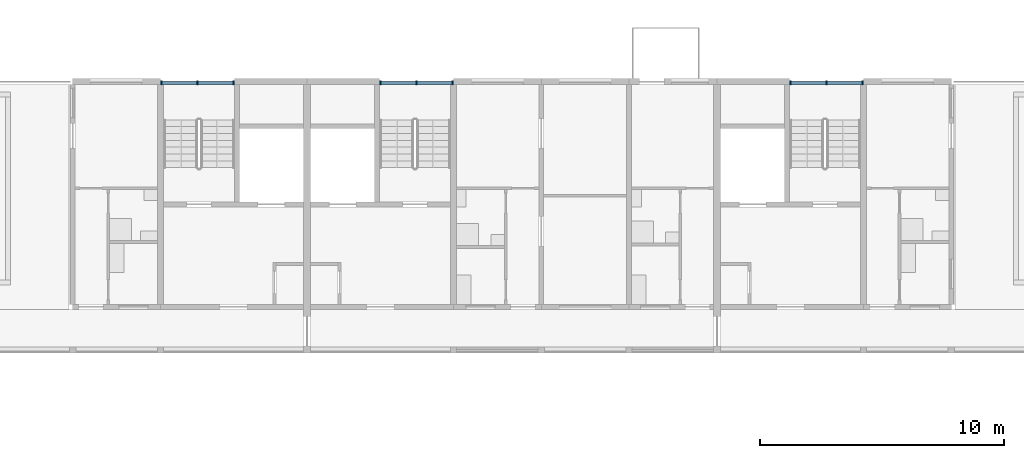
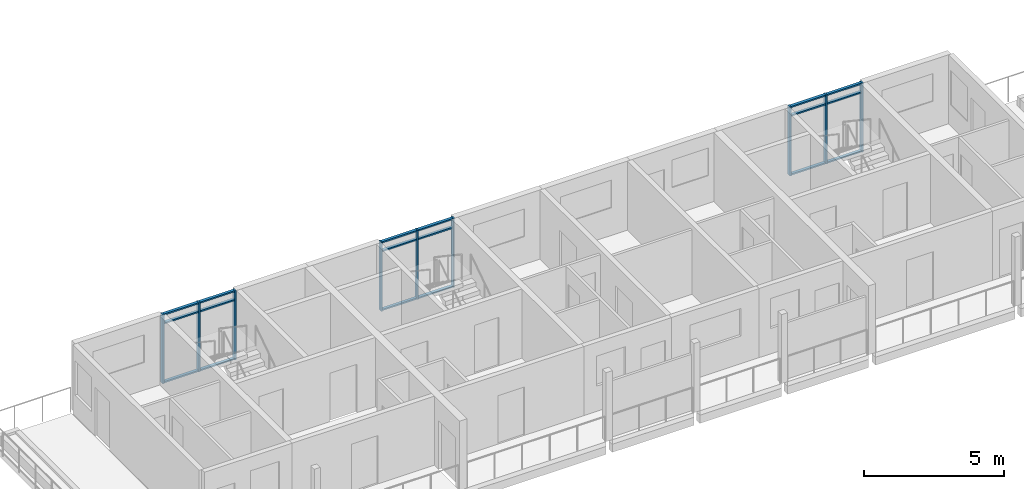
# One storey, part 12 of 94: 27 members, 3 elements without a shape of their own.
"""IFC4 building model written with IfcOpenShell, lengths in metres."""

from ifc_helpers import new_model, si_unit, direction, frame, origin, origin_2d, place, context, subcontext, project, spatial, rectangle, extrude, material, material_profile, profile_set, type_object, element, aggregate, save


model = new_model("IFC4")

# Units and contexts
model_context = context("Model", 3, precision=1e-05, world=origin(), true_north=direction((0.0, 1.0)))
body_context = subcontext(model_context, "Body", "Model", "MODEL_VIEW")
ifc_project = project(units=[si_unit("LENGTHUNIT", "METRE"), si_unit("AREAUNIT", "SQUARE_METRE"), si_unit("VOLUMEUNIT", "CUBIC_METRE"), si_unit("PLANEANGLEUNIT", "RADIAN"), si_unit("MASSUNIT", "GRAM", prefix="KILO")], contexts=[model_context])

# Site, building, storey
site_placement = place(None, origin())
site = spatial("IfcSite", under=ifc_project, at=site_placement, CompositionType="ELEMENT")
building_placement = place(site_placement, origin())
building = spatial("IfcBuilding", under=site, at=building_placement, Name="Ridgestep Commons", CompositionType="ELEMENT")
storey_placement = place(building_placement, frame((0.0, 0.0, 21.0)))
storey = spatial("IfcBuildingStorey", under=building, at=storey_placement, Name="L07", CompositionType="ELEMENT", Elevation=21.0)

# Curtain wall, members
ifc_material_1 = material(Name="Aluminium 6063-T6 and glass", Category="aluminium")
curtain_wall_type = type_object("IfcCurtainWallType", Name="Curtain wall stair strip", PredefinedType="NOTDEFINED", material=ifc_material_1)
curtain_wall_1_placement = place(storey_placement, origin())
curtain_wall_1 = element("IfcCurtainWall", 1, at=curtain_wall_1_placement, inside=storey, type_object=curtain_wall_type, Name="Curtain wall B1C level 07", PredefinedType="NOTDEFINED")
ifc_material_2 = material(Name="Aluminium 6063-T6", Category="aluminium")
ifc_material_profile_1 = material_profile(ifc_material_2, rectangle(XDim=0.159912109375, YDim=0.06005859375, at=origin_2d()), Name="Mullion 60 x 160")
ifc_profile_set_1 = profile_set([ifc_material_profile_1], Name="Aluminium 6063-T6")
member_type_1 = type_object("IfcMemberType", Name="Mullion 60 x 160", PredefinedType="MULLION", material=ifc_profile_set_1)
member_1_placement = place(storey_placement, frame((22.830078125, 77.080078125, 0.0), z_axis=(0.0, 0.0, 1.0), x_axis=(0.0, 1.0, 0.0)))
member_1 = element("IfcMember", 2, at=member_1_placement, type_object=member_type_1, Name="CW1 mullion 1", PredefinedType="MULLION", context=body_context, shape_type="SweptSolid", body=[
    extrude(rectangle(XDim=0.159912109375, YDim=0.06005859375, at=origin_2d()), origin(), (0.0, 0.0, 1.0), 3.0),
])
member_2_placement = place(storey_placement, frame((24.3125, 77.080078125, 0.0), z_axis=(0.0, 0.0, 1.0), x_axis=(0.0, 1.0, 0.0)))
member_2 = element("IfcMember", 3, at=member_2_placement, type_object=member_type_1, Name="CW1 mullion 2", PredefinedType="MULLION", context=body_context, shape_type="SweptSolid", body=[
    extrude(rectangle(XDim=0.159912109375, YDim=0.06005859375, at=origin_2d()), origin(), (0.0, 0.0, 1.0), 3.0),
])
member_3_placement = place(storey_placement, frame((25.794921875, 77.080078125, 0.0), z_axis=(0.0, 0.0, 1.0), x_axis=(0.0, 1.0, 0.0)))
member_3 = element("IfcMember", 4, at=member_3_placement, type_object=member_type_1, Name="CW1 mullion 3", PredefinedType="MULLION", context=body_context, shape_type="SweptSolid", body=[
    extrude(rectangle(XDim=0.159912109375, YDim=0.06005859375, at=origin_2d()), origin(), (0.0, 0.0, 1.0), 3.0),
])

curtain_wall_2_placement = place(storey_placement, origin())
curtain_wall_2 = element("IfcCurtainWall", 5, at=curtain_wall_2_placement, inside=storey, type_object=curtain_wall_type, Name="Curtain wall B2C level 07", PredefinedType="NOTDEFINED")
member_4_placement = place(storey_placement, frame((31.804931640625, 77.080078125, 0.0), z_axis=(0.0, 0.0, 1.0), x_axis=(0.0, 1.0, 0.0)))
member_4 = element("IfcMember", 6, at=member_4_placement, type_object=member_type_1, Name="CW1 mullion 1", PredefinedType="MULLION", context=body_context, shape_type="SweptSolid", body=[
    extrude(rectangle(XDim=0.159912109375, YDim=0.06005859375, at=origin_2d()), origin(), (0.0, 0.0, 1.0), 3.0),
])
member_5_placement = place(storey_placement, frame((33.28759765625, 77.080078125, 0.0), z_axis=(0.0, 0.0, 1.0), x_axis=(0.0, 1.0, 0.0)))
member_5 = element("IfcMember", 7, at=member_5_placement, type_object=member_type_1, Name="CW1 mullion 2", PredefinedType="MULLION", context=body_context, shape_type="SweptSolid", body=[
    extrude(rectangle(XDim=0.159912109375, YDim=0.06005859375, at=origin_2d()), origin(), (0.0, 0.0, 1.0), 3.0),
])
member_6_placement = place(storey_placement, frame((34.77001953125, 77.080078125, 0.0), z_axis=(0.0, 0.0, 1.0), x_axis=(0.0, 1.0, 0.0)))
member_6 = element("IfcMember", 8, at=member_6_placement, type_object=member_type_1, Name="CW1 mullion 3", PredefinedType="MULLION", context=body_context, shape_type="SweptSolid", body=[
    extrude(rectangle(XDim=0.159912109375, YDim=0.06005859375, at=origin_2d()), origin(), (0.0, 0.0, 1.0), 3.0),
])

curtain_wall_3_placement = place(storey_placement, origin())
curtain_wall_3 = element("IfcCurtainWall", 9, at=curtain_wall_3_placement, inside=storey, type_object=curtain_wall_type, Name="Curtain wall B3C level 07", PredefinedType="NOTDEFINED")
member_7_placement = place(storey_placement, frame((48.60498046875, 77.080078125, 0.0), z_axis=(0.0, 0.0, 1.0), x_axis=(0.0, 1.0, 0.0)))
member_7 = element("IfcMember", 10, at=member_7_placement, type_object=member_type_1, Name="CW1 mullion 1", PredefinedType="MULLION", context=body_context, shape_type="SweptSolid", body=[
    extrude(rectangle(XDim=0.159912109375, YDim=0.06005859375, at=origin_2d()), origin(), (0.0, 0.0, 1.0), 3.0),
])
member_8_placement = place(storey_placement, frame((50.08740234375, 77.080078125, 0.0), z_axis=(0.0, 0.0, 1.0), x_axis=(0.0, 1.0, 0.0)))
member_8 = element("IfcMember", 11, at=member_8_placement, type_object=member_type_1, Name="CW1 mullion 2", PredefinedType="MULLION", context=body_context, shape_type="SweptSolid", body=[
    extrude(rectangle(XDim=0.159912109375, YDim=0.06005859375, at=origin_2d()), origin(), (0.0, 0.0, 1.0), 3.0),
])
member_9_placement = place(storey_placement, frame((51.570068359375, 77.080078125, 0.0), z_axis=(0.0, 0.0, 1.0), x_axis=(0.0, 1.0, 0.0)))
member_9 = element("IfcMember", 12, at=member_9_placement, type_object=member_type_1, Name="CW1 mullion 3", PredefinedType="MULLION", context=body_context, shape_type="SweptSolid", body=[
    extrude(rectangle(XDim=0.159912109375, YDim=0.06005859375, at=origin_2d()), origin(), (0.0, 0.0, 1.0), 3.0),
])

# Member
ifc_material_3 = material(Name="Aluminium 6063-T6", Category="aluminium")
ifc_material_profile_2 = material_profile(ifc_material_3, rectangle(XDim=0.1201171875, YDim=0.06005859375, at=origin_2d()), Name="Transom 60 x 120")
ifc_profile_set_2 = profile_set([ifc_material_profile_2], Name="Aluminium 6063-T6")
member_type_2 = type_object("IfcMemberType", Name="Transom 60 x 120", PredefinedType="USERDEFINED", material=ifc_profile_set_2)
member_10_placement = place(storey_placement, frame((22.860107421875, 77.080078125, 0.030029296875), z_axis=(1.0, 0.0, 0.0), x_axis=(0.0, 1.0, 0.0)))
member_10 = element("IfcMember", 13, at=member_10_placement, type_object=member_type_2, Name="CW1 transom 1.1", ObjectType="TRANSOM", PredefinedType="USERDEFINED", context=body_context, shape_type="SweptSolid", body=[
    extrude(rectangle(XDim=0.1201171875, YDim=0.06005859375, at=origin_2d()), origin(), (0.0, 0.0, 1.0), 1.42236328125),
])

member_11_placement = place(storey_placement, frame((22.860107421875, 77.080078125, 2.590087890625), z_axis=(1.0, 0.0, 0.0), x_axis=(0.0, 1.0, 0.0)))
member_11 = element("IfcMember", 14, at=member_11_placement, type_object=member_type_2, Name="CW1 transom 1.2", ObjectType="TRANSOM", PredefinedType="USERDEFINED", context=body_context, shape_type="SweptSolid", body=[
    extrude(rectangle(XDim=0.1201171875, YDim=0.06005859375, at=origin_2d()), origin(), (0.0, 0.0, 1.0), 1.42236328125),
])

member_12_placement = place(storey_placement, frame((22.860107421875, 77.080078125, 2.969970703125), z_axis=(1.0, 0.0, 0.0), x_axis=(0.0, 1.0, 0.0)))
member_12 = element("IfcMember", 15, at=member_12_placement, type_object=member_type_2, Name="CW1 transom 1.3", ObjectType="TRANSOM", PredefinedType="USERDEFINED", context=body_context, shape_type="SweptSolid", body=[
    extrude(rectangle(XDim=0.1201171875, YDim=0.06005859375, at=origin_2d()), origin(), (0.0, 0.0, 1.0), 1.42236328125),
])

member_13_placement = place(storey_placement, frame((24.342529296875, 77.080078125, 0.030029296875), z_axis=(1.0, 0.0, 0.0), x_axis=(0.0, 1.0, 0.0)))
member_13 = element("IfcMember", 16, at=member_13_placement, type_object=member_type_2, Name="CW1 transom 2.1", ObjectType="TRANSOM", PredefinedType="USERDEFINED", context=body_context, shape_type="SweptSolid", body=[
    extrude(rectangle(XDim=0.1201171875, YDim=0.06005859375, at=origin_2d()), origin(), (0.0, 0.0, 1.0), 1.42236328125),
])

member_14_placement = place(storey_placement, frame((24.342529296875, 77.080078125, 2.590087890625), z_axis=(1.0, 0.0, 0.0), x_axis=(0.0, 1.0, 0.0)))
member_14 = element("IfcMember", 17, at=member_14_placement, type_object=member_type_2, Name="CW1 transom 2.2", ObjectType="TRANSOM", PredefinedType="USERDEFINED", context=body_context, shape_type="SweptSolid", body=[
    extrude(rectangle(XDim=0.1201171875, YDim=0.06005859375, at=origin_2d()), origin(), (0.0, 0.0, 1.0), 1.42236328125),
])

member_15_placement = place(storey_placement, frame((24.342529296875, 77.080078125, 2.969970703125), z_axis=(1.0, 0.0, 0.0), x_axis=(0.0, 1.0, 0.0)))
member_15 = element("IfcMember", 18, at=member_15_placement, type_object=member_type_2, Name="CW1 transom 2.3", ObjectType="TRANSOM", PredefinedType="USERDEFINED", context=body_context, shape_type="SweptSolid", body=[
    extrude(rectangle(XDim=0.1201171875, YDim=0.06005859375, at=origin_2d()), origin(), (0.0, 0.0, 1.0), 1.42236328125),
])

aggregate(curtain_wall_1, [member_1, member_2, member_3, member_10, member_11, member_12, member_13, member_14, member_15])

member_16_placement = place(storey_placement, frame((31.8349609375, 77.080078125, 0.030029296875), z_axis=(1.0, 0.0, 0.0), x_axis=(0.0, 1.0, 0.0)))
member_16 = element("IfcMember", 19, at=member_16_placement, type_object=member_type_2, Name="CW1 transom 1.1", ObjectType="TRANSOM", PredefinedType="USERDEFINED", context=body_context, shape_type="SweptSolid", body=[
    extrude(rectangle(XDim=0.1201171875, YDim=0.06005859375, at=origin_2d()), origin(), (0.0, 0.0, 1.0), 1.422607421875),
])

member_17_placement = place(storey_placement, frame((31.8349609375, 77.080078125, 2.590087890625), z_axis=(1.0, 0.0, 0.0), x_axis=(0.0, 1.0, 0.0)))
member_17 = element("IfcMember", 20, at=member_17_placement, type_object=member_type_2, Name="CW1 transom 1.2", ObjectType="TRANSOM", PredefinedType="USERDEFINED", context=body_context, shape_type="SweptSolid", body=[
    extrude(rectangle(XDim=0.1201171875, YDim=0.06005859375, at=origin_2d()), origin(), (0.0, 0.0, 1.0), 1.422607421875),
])

member_18_placement = place(storey_placement, frame((31.8349609375, 77.080078125, 2.969970703125), z_axis=(1.0, 0.0, 0.0), x_axis=(0.0, 1.0, 0.0)))
member_18 = element("IfcMember", 21, at=member_18_placement, type_object=member_type_2, Name="CW1 transom 1.3", ObjectType="TRANSOM", PredefinedType="USERDEFINED", context=body_context, shape_type="SweptSolid", body=[
    extrude(rectangle(XDim=0.1201171875, YDim=0.06005859375, at=origin_2d()), origin(), (0.0, 0.0, 1.0), 1.422607421875),
])

member_19_placement = place(storey_placement, frame((33.3173828125, 77.080078125, 0.030029296875), z_axis=(1.0, 0.0, 0.0), x_axis=(0.0, 1.0, 0.0)))
member_19 = element("IfcMember", 22, at=member_19_placement, type_object=member_type_2, Name="CW1 transom 2.1", ObjectType="TRANSOM", PredefinedType="USERDEFINED", context=body_context, shape_type="SweptSolid", body=[
    extrude(rectangle(XDim=0.1201171875, YDim=0.06005859375, at=origin_2d()), origin(), (0.0, 0.0, 1.0), 1.422607421875),
])

member_20_placement = place(storey_placement, frame((33.3173828125, 77.080078125, 2.590087890625), z_axis=(1.0, 0.0, 0.0), x_axis=(0.0, 1.0, 0.0)))
member_20 = element("IfcMember", 23, at=member_20_placement, type_object=member_type_2, Name="CW1 transom 2.2", ObjectType="TRANSOM", PredefinedType="USERDEFINED", context=body_context, shape_type="SweptSolid", body=[
    extrude(rectangle(XDim=0.1201171875, YDim=0.06005859375, at=origin_2d()), origin(), (0.0, 0.0, 1.0), 1.422607421875),
])

member_21_placement = place(storey_placement, frame((33.3173828125, 77.080078125, 2.969970703125), z_axis=(1.0, 0.0, 0.0), x_axis=(0.0, 1.0, 0.0)))
member_21 = element("IfcMember", 24, at=member_21_placement, type_object=member_type_2, Name="CW1 transom 2.3", ObjectType="TRANSOM", PredefinedType="USERDEFINED", context=body_context, shape_type="SweptSolid", body=[
    extrude(rectangle(XDim=0.1201171875, YDim=0.06005859375, at=origin_2d()), origin(), (0.0, 0.0, 1.0), 1.422607421875),
])

aggregate(curtain_wall_2, [member_4, member_5, member_6, member_16, member_17, member_18, member_19, member_20, member_21])

member_22_placement = place(storey_placement, frame((48.635009765625, 77.080078125, 0.030029296875), z_axis=(1.0, 0.0, 0.0), x_axis=(0.0, 1.0, 0.0)))
member_22 = element("IfcMember", 25, at=member_22_placement, type_object=member_type_2, Name="CW1 transom 1.1", ObjectType="TRANSOM", PredefinedType="USERDEFINED", context=body_context, shape_type="SweptSolid", body=[
    extrude(rectangle(XDim=0.1201171875, YDim=0.06005859375, at=origin_2d()), origin(), (0.0, 0.0, 1.0), 1.422607421875),
])

member_23_placement = place(storey_placement, frame((48.635009765625, 77.080078125, 2.590087890625), z_axis=(1.0, 0.0, 0.0), x_axis=(0.0, 1.0, 0.0)))
member_23 = element("IfcMember", 26, at=member_23_placement, type_object=member_type_2, Name="CW1 transom 1.2", ObjectType="TRANSOM", PredefinedType="USERDEFINED", context=body_context, shape_type="SweptSolid", body=[
    extrude(rectangle(XDim=0.1201171875, YDim=0.06005859375, at=origin_2d()), origin(), (0.0, 0.0, 1.0), 1.422607421875),
])

member_24_placement = place(storey_placement, frame((48.635009765625, 77.080078125, 2.969970703125), z_axis=(1.0, 0.0, 0.0), x_axis=(0.0, 1.0, 0.0)))
member_24 = element("IfcMember", 27, at=member_24_placement, type_object=member_type_2, Name="CW1 transom 1.3", ObjectType="TRANSOM", PredefinedType="USERDEFINED", context=body_context, shape_type="SweptSolid", body=[
    extrude(rectangle(XDim=0.1201171875, YDim=0.06005859375, at=origin_2d()), origin(), (0.0, 0.0, 1.0), 1.422607421875),
])

member_25_placement = place(storey_placement, frame((50.117431640625, 77.080078125, 0.030029296875), z_axis=(1.0, 0.0, 0.0), x_axis=(0.0, 1.0, 0.0)))
member_25 = element("IfcMember", 28, at=member_25_placement, type_object=member_type_2, Name="CW1 transom 2.1", ObjectType="TRANSOM", PredefinedType="USERDEFINED", context=body_context, shape_type="SweptSolid", body=[
    extrude(rectangle(XDim=0.1201171875, YDim=0.06005859375, at=origin_2d()), origin(), (0.0, 0.0, 1.0), 1.422607421875),
])

member_26_placement = place(storey_placement, frame((50.117431640625, 77.080078125, 2.590087890625), z_axis=(1.0, 0.0, 0.0), x_axis=(0.0, 1.0, 0.0)))
member_26 = element("IfcMember", 29, at=member_26_placement, type_object=member_type_2, Name="CW1 transom 2.2", ObjectType="TRANSOM", PredefinedType="USERDEFINED", context=body_context, shape_type="SweptSolid", body=[
    extrude(rectangle(XDim=0.1201171875, YDim=0.06005859375, at=origin_2d()), origin(), (0.0, 0.0, 1.0), 1.422607421875),
])

member_27_placement = place(storey_placement, frame((50.117431640625, 77.080078125, 2.969970703125), z_axis=(1.0, 0.0, 0.0), x_axis=(0.0, 1.0, 0.0)))
member_27 = element("IfcMember", 30, at=member_27_placement, type_object=member_type_2, Name="CW1 transom 2.3", ObjectType="TRANSOM", PredefinedType="USERDEFINED", context=body_context, shape_type="SweptSolid", body=[
    extrude(rectangle(XDim=0.1201171875, YDim=0.06005859375, at=origin_2d()), origin(), (0.0, 0.0, 1.0), 1.422607421875),
])

aggregate(curtain_wall_3, [member_7, member_8, member_9, member_22, member_23, member_24, member_25, member_26, member_27])

save(model, "model.ifc")
